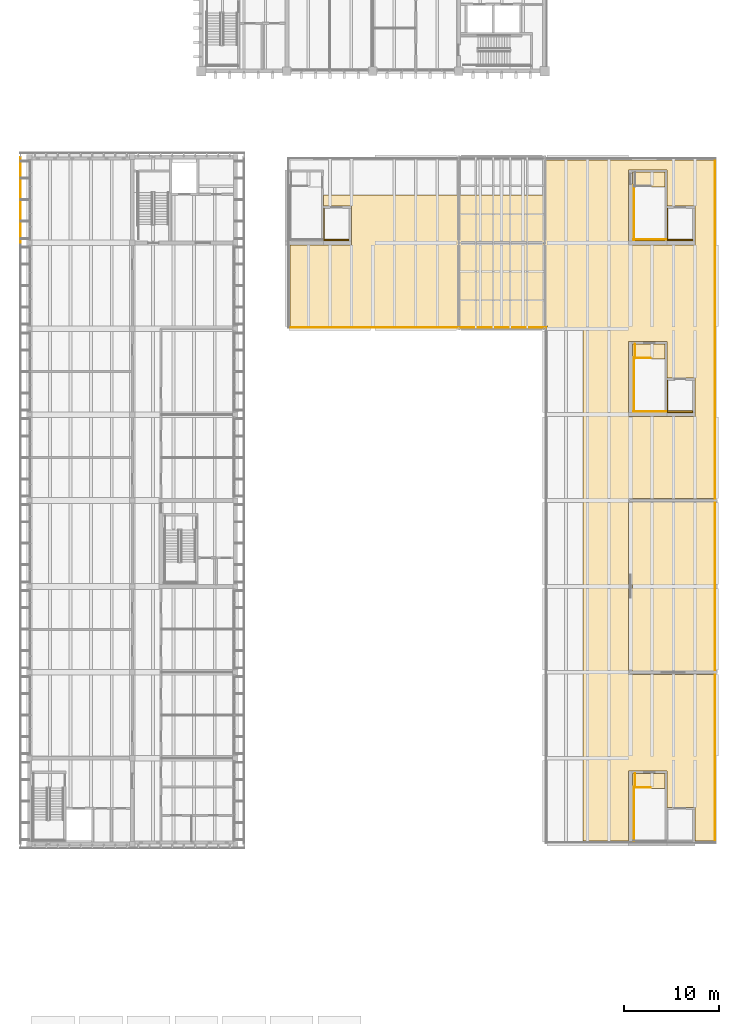
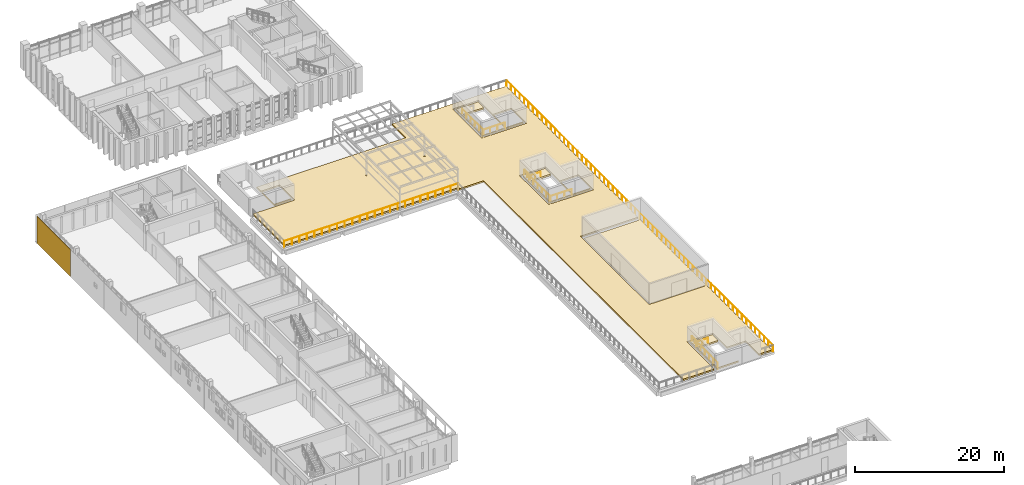
# One storey, part 69 of 74: 11 railings, 9 coverings.
"""IFC4 building model written with IfcOpenShell, lengths in metres."""

from ifc_helpers import new_model, si_unit, direction, frame, origin, origin_2d, place, context, subcontext, project, spatial, polyline, circle, outline, extrude, source, transform, mapped, material, layer, layer_set, type_object, element, save


model = new_model("IFC4")

# Units and contexts
model_context = context("Model", 3, precision=1e-05, world=origin(), true_north=direction((0.0, 1.0)))
body_context = subcontext(model_context, "Body", "Model", "MODEL_VIEW")
ifc_project = project(units=[si_unit("LENGTHUNIT", "METRE"), si_unit("AREAUNIT", "SQUARE_METRE"), si_unit("VOLUMEUNIT", "CUBIC_METRE"), si_unit("PLANEANGLEUNIT", "RADIAN"), si_unit("MASSUNIT", "GRAM", prefix="KILO")], contexts=[model_context])

# Site, building, storey
site_placement = place(None, origin())
site = spatial("IfcSite", under=ifc_project, at=site_placement, CompositionType="ELEMENT")
building_placement = place(site_placement, origin())
building = spatial("IfcBuilding", under=site, at=building_placement, Name="Merrow Basin Faculty of Sciences", CompositionType="ELEMENT")
storey_placement = place(building_placement, frame((0.0, 0.0, 13.5)))
storey = spatial("IfcBuildingStorey", under=building, at=storey_placement, Name="L03", CompositionType="ELEMENT", Elevation=13.5)

# Coverings
ifc_material_1 = material(Name="Planting substrate")
ifc_layer_1 = layer(ifc_material_1, 0.25)
ifc_layer_set_1 = layer_set([ifc_layer_1], Name="Planted roof build-up 250")
covering_type_1 = type_object("IfcCoveringType", Name="Planted roof build-up 250", PredefinedType="ROOFING", material=ifc_layer_set_1)
covering_1_placement = place(storey_placement, origin())
element("IfcCovering", 1, at=covering_1_placement, inside=storey, type_object=covering_type_1, Name="Planted roof build-up", PredefinedType="ROOFING", context=body_context, shape_type="SweptSolid", body=[
    extrude(outline(polyline([(62.77490234375, 97.22509765625), (62.77490234375, 78.77490234375), (71.699951171875, 78.77490234375), (71.699951171875, 61.300048828125), (69.75, 61.300048828125), (69.75, 64.60009765625), (69.75, 64.85009765625), (66.85009765625, 64.85009765625), (66.85009765625, 68.39990234375), (66.85009765625, 68.64990234375), (63.199951171875, 68.64990234375), (63.14990234375, 68.64990234375), (62.800048828125, 68.64990234375), (62.800048828125, 61.300048828125), (58.0, 61.300048828125), (58.0, 115.0), (54.300048828125, 115.0), (54.300048828125, 115.300048828125), (27.300048828125, 115.300048828125), (27.300048828125, 123.800048828125), (30.85009765625, 123.800048828125), (33.75, 123.800048828125), (33.75, 124.199951171875), (33.75, 127.60009765625), (33.75, 127.85009765625), (30.85009765625, 127.85009765625), (30.85009765625, 129.0), (54.0, 129.0), (54.0, 132.699951171875), (71.699951171875, 132.699951171875), (71.699951171875, 97.22509765625), (62.77490234375, 97.22509765625)]), holes=[polyline([(44.8984375, 124.1015625), (44.8984375, 123.8984375), (45.1015625, 123.8984375), (45.1015625, 124.1015625), (44.8984375, 124.1015625)]), polyline([(53.8984375, 124.1015625), (53.8984375, 123.8984375), (54.1015625, 123.8984375), (54.1015625, 124.1015625), (53.8984375, 124.1015625)]), polyline([(62.800048828125, 131.64990234375), (62.800048828125, 124.199951171875), (62.800048828125, 123.800048828125), (66.85009765625, 123.800048828125), (69.75, 123.800048828125), (69.75, 124.199951171875), (69.75, 127.60009765625), (69.75, 127.85009765625), (66.85009765625, 127.85009765625), (66.85009765625, 131.39990234375), (66.85009765625, 131.64990234375), (63.199951171875, 131.64990234375), (63.14990234375, 131.64990234375), (62.800048828125, 131.64990234375)]), polyline([(62.800048828125, 106.199951171875), (62.800048828125, 105.800048828125), (66.85009765625, 105.800048828125), (69.75, 105.800048828125), (69.75, 106.199951171875), (69.75, 109.60009765625), (69.75, 109.85009765625), (66.85009765625, 109.85009765625), (66.85009765625, 113.39990234375), (66.85009765625, 113.64990234375), (63.199951171875, 113.64990234375), (63.14990234375, 113.64990234375), (62.800048828125, 113.64990234375), (62.800048828125, 106.199951171875)])]), origin(), (0.0, 0.0, 1.0), 0.25),
])
covering_2_placement = place(storey_placement, origin())
element("IfcCovering", 2, at=covering_2_placement, inside=storey, type_object=covering_type_1, Name="Planted roof build-up", PredefinedType="ROOFING", context=body_context, shape_type="SweptSolid", body=[
    extrude(outline(polyline([(63.199951171875, 131.39990234375), (66.60009765625, 131.39990234375), (66.60009765625, 129.85009765625), (63.39990234375, 129.85009765625), (63.39990234375, 124.39990234375), (66.60009765625, 124.39990234375), (66.60009765625, 124.199951171875), (63.199951171875, 124.199951171875), (63.199951171875, 131.39990234375)])), origin(), (0.0, 0.0, 1.0), 0.25),
])
covering_3_placement = place(storey_placement, origin())
element("IfcCovering", 3, at=covering_3_placement, inside=storey, type_object=covering_type_1, Name="Planted roof build-up", PredefinedType="ROOFING", context=body_context, shape_type="SweptSolid", body=[
    extrude(outline(polyline([(66.60009765625, 106.39990234375), (66.60009765625, 106.199951171875), (63.199951171875, 106.199951171875), (63.199951171875, 113.39990234375), (66.60009765625, 113.39990234375), (66.60009765625, 111.85009765625), (63.39990234375, 111.85009765625), (63.39990234375, 106.39990234375), (66.60009765625, 106.39990234375)])), origin(), (0.0, 0.0, 1.0), 0.25),
])
covering_4_placement = place(storey_placement, origin())
element("IfcCovering", 4, at=covering_4_placement, inside=storey, type_object=covering_type_1, Name="Planted roof build-up", PredefinedType="ROOFING", context=body_context, shape_type="SweptSolid", body=[
    extrude(outline(polyline([(63.199951171875, 68.39990234375), (66.60009765625, 68.39990234375), (66.60009765625, 66.85009765625), (63.39990234375, 66.85009765625), (63.39990234375, 61.39990234375), (66.60009765625, 61.39990234375), (66.60009765625, 61.300048828125), (63.199951171875, 61.300048828125), (63.199951171875, 68.39990234375)])), origin(), (0.0, 0.0, 1.0), 0.25),
])
covering_5_placement = place(storey_placement, origin())
element("IfcCovering", 5, at=covering_5_placement, inside=storey, type_object=covering_type_1, Name="Planted roof build-up", PredefinedType="ROOFING", context=body_context, shape_type="SweptSolid", body=[
    extrude(outline(polyline([(66.89990234375, 106.39990234375), (69.5, 106.39990234375), (69.5, 106.199951171875), (66.85009765625, 106.199951171875), (66.85009765625, 109.60009765625), (66.89990234375, 109.60009765625), (66.89990234375, 106.39990234375)])), origin(), (0.0, 0.0, 1.0), 0.25),
])
covering_6_placement = place(storey_placement, origin())
element("IfcCovering", 6, at=covering_6_placement, inside=storey, type_object=covering_type_1, Name="Planted roof build-up", PredefinedType="ROOFING", context=body_context, shape_type="SweptSolid", body=[
    extrude(outline(polyline([(66.89990234375, 127.60009765625), (66.89990234375, 124.39990234375), (69.5, 124.39990234375), (69.5, 124.199951171875), (66.85009765625, 124.199951171875), (66.85009765625, 127.60009765625), (66.89990234375, 127.60009765625)])), origin(), (0.0, 0.0, 1.0), 0.25),
])
covering_7_placement = place(storey_placement, origin())
element("IfcCovering", 7, at=covering_7_placement, inside=storey, type_object=covering_type_1, Name="Planted roof build-up", PredefinedType="ROOFING", context=body_context, shape_type="SweptSolid", body=[
    extrude(outline(polyline([(30.89990234375, 127.60009765625), (30.89990234375, 124.39990234375), (33.5, 124.39990234375), (33.5, 124.199951171875), (30.85009765625, 124.199951171875), (30.85009765625, 127.60009765625), (30.89990234375, 127.60009765625)])), origin(), (0.0, 0.0, 1.0), 0.25),
])
ifc_material_2 = material(Name="Polished terrazzo floor")
ifc_layer_2 = layer(ifc_material_2, 0.02001953125)
ifc_layer_set_2 = layer_set([ifc_layer_2], Name="Polished terrazzo floor")
covering_type_2 = type_object("IfcCoveringType", Name="Polished terrazzo floor", PredefinedType="FLOORING", material=ifc_layer_set_2)
covering_8_placement = place(storey_placement, origin())
element("IfcCovering", 8, at=covering_8_placement, inside=storey, type_object=covering_type_2, Name="Floor finish L03-C-002", PredefinedType="FLOORING", context=body_context, shape_type="SweptSolid", body=[
    extrude(outline(polyline([(71.864990234375, 79.135009765625), (63.135009765625, 79.135009765625), (63.135009765625, 96.864990234375), (71.864990234375, 96.864990234375), (71.864990234375, 79.135009765625)])), origin(), (0.0, 0.0, 1.0), 0.02001953125),
])

# Railings
ifc_material_3 = material(Name="Stainless steel balustrade", Category="steel")
railing_type_1 = type_object("IfcRailingType", Name="Roof terrace guard 1100", PredefinedType="GUARDRAIL", material=ifc_material_3)
railing_1_placement = place(storey_placement, frame((71.85009765625, 132.85009765625, 0.0)))
element("IfcRailing", 9, at=railing_1_placement, inside=storey, type_object=railing_type_1, Name="Roof terrace guard", PredefinedType="GUARDRAIL", context=body_context, shape_type="SweptSolid", body=[
    extrude(circle(Radius=0.02392578125, at=origin_2d()), frame((0.0, 0.0, 1.076171875), z_axis=(0.0, -1.0, 0.0), x_axis=(1.0, 0.0, 0.0)), (0.0, 0.0, 1.0), 71.7001953125),
    extrude(circle(Radius=0.02099609375, at=origin_2d()), origin(), (0.0, 0.0, 1.0), 1.052001953125),
    extrude(circle(Radius=0.02099609375, at=origin_2d()), frame((0.0, -1.195068359375, 0.0)), (0.0, 0.0, 1.0), 1.052001953125),
    extrude(circle(Radius=0.02099609375, at=origin_2d()), frame((0.0, -2.389892578125, 0.0)), (0.0, 0.0, 1.0), 1.052001953125),
    extrude(circle(Radius=0.02099609375, at=origin_2d()), frame((0.0, -3.5849609375, 0.0)), (0.0, 0.0, 1.0), 1.052001953125),
    extrude(circle(Radius=0.02099609375, at=origin_2d()), frame((0.0, -4.780029296875, 0.0)), (0.0, 0.0, 1.0), 1.052001953125),
    extrude(circle(Radius=0.02099609375, at=origin_2d()), frame((0.0, -5.97509765625, 0.0)), (0.0, 0.0, 1.0), 1.052001953125),
    extrude(circle(Radius=0.02099609375, at=origin_2d()), frame((0.0, -7.169921875, 0.0)), (0.0, 0.0, 1.0), 1.052001953125),
    extrude(circle(Radius=0.02099609375, at=origin_2d()), frame((0.0, -8.364990234375, 0.0)), (0.0, 0.0, 1.0), 1.052001953125),
    extrude(circle(Radius=0.02099609375, at=origin_2d()), frame((0.0, -9.56005859375, 0.0)), (0.0, 0.0, 1.0), 1.052001953125),
    extrude(circle(Radius=0.02099609375, at=origin_2d()), frame((0.0, -10.755126953125, 0.0)), (0.0, 0.0, 1.0), 1.052001953125),
    extrude(circle(Radius=0.02099609375, at=origin_2d()), frame((0.0, -11.949951171875, 0.0)), (0.0, 0.0, 1.0), 1.052001953125),
    extrude(circle(Radius=0.02099609375, at=origin_2d()), frame((0.0, -13.14501953125, 0.0)), (0.0, 0.0, 1.0), 1.052001953125),
    extrude(circle(Radius=0.02099609375, at=origin_2d()), frame((0.0, -14.340087890625, 0.0)), (0.0, 0.0, 1.0), 1.052001953125),
    extrude(circle(Radius=0.02099609375, at=origin_2d()), frame((0.0, -15.53515625, 0.0)), (0.0, 0.0, 1.0), 1.052001953125),
    extrude(circle(Radius=0.02099609375, at=origin_2d()), frame((0.0, -16.72998046875, 0.0)), (0.0, 0.0, 1.0), 1.052001953125),
    extrude(circle(Radius=0.02099609375, at=origin_2d()), frame((0.0, -17.925048828125, 0.0)), (0.0, 0.0, 1.0), 1.052001953125),
    extrude(circle(Radius=0.02099609375, at=origin_2d()), frame((0.0, -19.1201171875, 0.0)), (0.0, 0.0, 1.0), 1.052001953125),
    extrude(circle(Radius=0.02099609375, at=origin_2d()), frame((0.0, -20.31494140625, 0.0)), (0.0, 0.0, 1.0), 1.052001953125),
    extrude(circle(Radius=0.02099609375, at=origin_2d()), frame((0.0, -21.510009765625, 0.0)), (0.0, 0.0, 1.0), 1.052001953125),
    extrude(circle(Radius=0.02099609375, at=origin_2d()), frame((0.0, -22.705078125, 0.0)), (0.0, 0.0, 1.0), 1.052001953125),
    extrude(circle(Radius=0.02099609375, at=origin_2d()), frame((0.0, -23.900146484375, 0.0)), (0.0, 0.0, 1.0), 1.052001953125),
    extrude(circle(Radius=0.02099609375, at=origin_2d()), frame((0.0, -25.094970703125, 0.0)), (0.0, 0.0, 1.0), 1.052001953125),
    extrude(circle(Radius=0.02099609375, at=origin_2d()), frame((0.0, -26.2900390625, 0.0)), (0.0, 0.0, 1.0), 1.052001953125),
    extrude(circle(Radius=0.02099609375, at=origin_2d()), frame((0.0, -27.485107421875, 0.0)), (0.0, 0.0, 1.0), 1.052001953125),
    extrude(circle(Radius=0.02099609375, at=origin_2d()), frame((0.0, -28.68017578125, 0.0)), (0.0, 0.0, 1.0), 1.052001953125),
    extrude(circle(Radius=0.02099609375, at=origin_2d()), frame((0.0, -29.875, 0.0)), (0.0, 0.0, 1.0), 1.052001953125),
    extrude(circle(Radius=0.02099609375, at=origin_2d()), frame((0.0, -31.070068359375, 0.0)), (0.0, 0.0, 1.0), 1.052001953125),
    extrude(circle(Radius=0.02099609375, at=origin_2d()), frame((0.0, -32.26513671875, 0.0)), (0.0, 0.0, 1.0), 1.052001953125),
    extrude(circle(Radius=0.02099609375, at=origin_2d()), frame((0.0, -33.460205078125, 0.0)), (0.0, 0.0, 1.0), 1.052001953125),
    extrude(circle(Radius=0.02099609375, at=origin_2d()), frame((0.0, -34.655029296875, 0.0)), (0.0, 0.0, 1.0), 1.052001953125),
    extrude(circle(Radius=0.02099609375, at=origin_2d()), frame((0.0, -35.85009765625, 0.0)), (0.0, 0.0, 1.0), 1.052001953125),
    extrude(circle(Radius=0.02099609375, at=origin_2d()), frame((0.0, -37.045166015625, 0.0)), (0.0, 0.0, 1.0), 1.052001953125),
    extrude(circle(Radius=0.02099609375, at=origin_2d()), frame((0.0, -38.239990234375, 0.0)), (0.0, 0.0, 1.0), 1.052001953125),
    extrude(circle(Radius=0.02099609375, at=origin_2d()), frame((0.0, -39.43505859375, 0.0)), (0.0, 0.0, 1.0), 1.052001953125),
    extrude(circle(Radius=0.02099609375, at=origin_2d()), frame((0.0, -40.630126953125, 0.0)), (0.0, 0.0, 1.0), 1.052001953125),
    extrude(circle(Radius=0.02099609375, at=origin_2d()), frame((0.0, -41.8251953125, 0.0)), (0.0, 0.0, 1.0), 1.052001953125),
    extrude(circle(Radius=0.02099609375, at=origin_2d()), frame((0.0, -43.02001953125, 0.0)), (0.0, 0.0, 1.0), 1.052001953125),
    extrude(circle(Radius=0.02099609375, at=origin_2d()), frame((0.0, -44.215087890625, 0.0)), (0.0, 0.0, 1.0), 1.052001953125),
    extrude(circle(Radius=0.02099609375, at=origin_2d()), frame((0.0, -45.41015625, 0.0)), (0.0, 0.0, 1.0), 1.052001953125),
    extrude(circle(Radius=0.02099609375, at=origin_2d()), frame((0.0, -46.605224609375, 0.0)), (0.0, 0.0, 1.0), 1.052001953125),
    extrude(circle(Radius=0.02099609375, at=origin_2d()), frame((0.0, -47.800048828125, 0.0)), (0.0, 0.0, 1.0), 1.052001953125),
    extrude(circle(Radius=0.02099609375, at=origin_2d()), frame((0.0, -48.9951171875, 0.0)), (0.0, 0.0, 1.0), 1.052001953125),
    extrude(circle(Radius=0.02099609375, at=origin_2d()), frame((0.0, -50.190185546875, 0.0)), (0.0, 0.0, 1.0), 1.052001953125),
    extrude(circle(Radius=0.02099609375, at=origin_2d()), frame((0.0, -51.38525390625, 0.0)), (0.0, 0.0, 1.0), 1.052001953125),
    extrude(circle(Radius=0.02099609375, at=origin_2d()), frame((0.0, -52.580078125, 0.0)), (0.0, 0.0, 1.0), 1.052001953125),
    extrude(circle(Radius=0.02099609375, at=origin_2d()), frame((0.0, -53.775146484375, 0.0)), (0.0, 0.0, 1.0), 1.052001953125),
    extrude(circle(Radius=0.02099609375, at=origin_2d()), frame((0.0, -54.97021484375, 0.0)), (0.0, 0.0, 1.0), 1.052001953125),
    extrude(circle(Radius=0.02099609375, at=origin_2d()), frame((0.0, -56.1650390625, 0.0)), (0.0, 0.0, 1.0), 1.052001953125),
    extrude(circle(Radius=0.02099609375, at=origin_2d()), frame((0.0, -57.360107421875, 0.0)), (0.0, 0.0, 1.0), 1.052001953125),
    extrude(circle(Radius=0.02099609375, at=origin_2d()), frame((0.0, -58.55517578125, 0.0)), (0.0, 0.0, 1.0), 1.052001953125),
    extrude(circle(Radius=0.02099609375, at=origin_2d()), frame((0.0, -59.750244140625, 0.0)), (0.0, 0.0, 1.0), 1.052001953125),
    extrude(circle(Radius=0.02099609375, at=origin_2d()), frame((0.0, -60.945068359375, 0.0)), (0.0, 0.0, 1.0), 1.052001953125),
    extrude(circle(Radius=0.02099609375, at=origin_2d()), frame((0.0, -62.14013671875, 0.0)), (0.0, 0.0, 1.0), 1.052001953125),
    extrude(circle(Radius=0.02099609375, at=origin_2d()), frame((0.0, -63.335205078125, 0.0)), (0.0, 0.0, 1.0), 1.052001953125),
    extrude(circle(Radius=0.02099609375, at=origin_2d()), frame((0.0, -64.5302734375, 0.0)), (0.0, 0.0, 1.0), 1.052001953125),
    extrude(circle(Radius=0.02099609375, at=origin_2d()), frame((0.0, -65.72509765625, 0.0)), (0.0, 0.0, 1.0), 1.052001953125),
    extrude(circle(Radius=0.02099609375, at=origin_2d()), frame((0.0, -66.920166015625, 0.0)), (0.0, 0.0, 1.0), 1.052001953125),
    extrude(circle(Radius=0.02099609375, at=origin_2d()), frame((0.0, -68.115234375, 0.0)), (0.0, 0.0, 1.0), 1.052001953125),
    extrude(circle(Radius=0.02099609375, at=origin_2d()), frame((0.0, -69.310302734375, 0.0)), (0.0, 0.0, 1.0), 1.052001953125),
    extrude(circle(Radius=0.02099609375, at=origin_2d()), frame((0.0, -70.505126953125, 0.0)), (0.0, 0.0, 1.0), 1.052001953125),
    extrude(circle(Radius=0.02099609375, at=origin_2d()), frame((0.0, -71.7001953125, 0.0)), (0.0, 0.0, 1.0), 1.052001953125),
])
railing_2_placement = place(storey_placement, frame((54.14990234375, 115.14990234375, 0.0)))
element("IfcRailing", 10, at=railing_2_placement, inside=storey, type_object=railing_type_1, Name="Roof terrace guard", PredefinedType="GUARDRAIL", context=body_context, shape_type="SweptSolid", body=[
    extrude(circle(Radius=0.02392578125, at=origin_2d()), frame((0.0, 0.0, 1.076171875), z_axis=(-1.0, 0.0, 0.0), x_axis=(0.0, -1.0, 0.0)), (0.0, 0.0, 1.0), 27.0),
    extrude(circle(Radius=0.02099609375, at=origin_2d()), origin(), (0.0, 0.0, 1.0), 1.052001953125),
    extrude(circle(Radius=0.02099609375, at=origin_2d()), frame((-1.173828125, 0.0, 0.0)), (0.0, 0.0, 1.0), 1.052001953125),
    extrude(circle(Radius=0.02099609375, at=origin_2d()), frame((-2.347900390625, 0.0, 0.0)), (0.0, 0.0, 1.0), 1.052001953125),
    extrude(circle(Radius=0.02099609375, at=origin_2d()), frame((-3.521728515625, 0.0, 0.0)), (0.0, 0.0, 1.0), 1.052001953125),
    extrude(circle(Radius=0.02099609375, at=origin_2d()), frame((-4.695556640625, 0.0, 0.0)), (0.0, 0.0, 1.0), 1.052001953125),
    extrude(circle(Radius=0.02099609375, at=origin_2d()), frame((-5.86962890625, 0.0, 0.0)), (0.0, 0.0, 1.0), 1.052001953125),
    extrude(circle(Radius=0.02099609375, at=origin_2d()), frame((-7.04345703125, 0.0, 0.0)), (0.0, 0.0, 1.0), 1.052001953125),
    extrude(circle(Radius=0.02099609375, at=origin_2d()), frame((-8.21728515625, 0.0, 0.0)), (0.0, 0.0, 1.0), 1.052001953125),
    extrude(circle(Radius=0.02099609375, at=origin_2d()), frame((-9.391357421875, 0.0, 0.0)), (0.0, 0.0, 1.0), 1.052001953125),
    extrude(circle(Radius=0.02099609375, at=origin_2d()), frame((-10.565185546875, 0.0, 0.0)), (0.0, 0.0, 1.0), 1.052001953125),
    extrude(circle(Radius=0.02099609375, at=origin_2d()), frame((-11.739013671875, 0.0, 0.0)), (0.0, 0.0, 1.0), 1.052001953125),
    extrude(circle(Radius=0.02099609375, at=origin_2d()), frame((-12.9130859375, 0.0, 0.0)), (0.0, 0.0, 1.0), 1.052001953125),
    extrude(circle(Radius=0.02099609375, at=origin_2d()), frame((-14.0869140625, 0.0, 0.0)), (0.0, 0.0, 1.0), 1.052001953125),
    extrude(circle(Radius=0.02099609375, at=origin_2d()), frame((-15.260986328125, 0.0, 0.0)), (0.0, 0.0, 1.0), 1.052001953125),
    extrude(circle(Radius=0.02099609375, at=origin_2d()), frame((-16.434814453125, 0.0, 0.0)), (0.0, 0.0, 1.0), 1.052001953125),
    extrude(circle(Radius=0.02099609375, at=origin_2d()), frame((-17.608642578125, 0.0, 0.0)), (0.0, 0.0, 1.0), 1.052001953125),
    extrude(circle(Radius=0.02099609375, at=origin_2d()), frame((-18.78271484375, 0.0, 0.0)), (0.0, 0.0, 1.0), 1.052001953125),
    extrude(circle(Radius=0.02099609375, at=origin_2d()), frame((-19.95654296875, 0.0, 0.0)), (0.0, 0.0, 1.0), 1.052001953125),
    extrude(circle(Radius=0.02099609375, at=origin_2d()), frame((-21.13037109375, 0.0, 0.0)), (0.0, 0.0, 1.0), 1.052001953125),
    extrude(circle(Radius=0.02099609375, at=origin_2d()), frame((-22.304443359375, 0.0, 0.0)), (0.0, 0.0, 1.0), 1.052001953125),
    extrude(circle(Radius=0.02099609375, at=origin_2d()), frame((-23.478271484375, 0.0, 0.0)), (0.0, 0.0, 1.0), 1.052001953125),
    extrude(circle(Radius=0.02099609375, at=origin_2d()), frame((-24.652099609375, 0.0, 0.0)), (0.0, 0.0, 1.0), 1.052001953125),
    extrude(circle(Radius=0.02099609375, at=origin_2d()), frame((-25.826171875, 0.0, 0.0)), (0.0, 0.0, 1.0), 1.052001953125),
    extrude(circle(Radius=0.02099609375, at=origin_2d()), frame((-27.0, 0.0, 0.0)), (0.0, 0.0, 1.0), 1.052001953125),
])
ifc_material_4 = material(Name="Steel ASTM A36", Category="steel")
railing_type_2 = type_object("IfcRailingType", Name="Steel guard 1100", PredefinedType="GUARDRAIL", material=ifc_material_4)
railing_3_placement = place(storey_placement, frame((63.39990234375, 66.949951171875, 0.0)))
element("IfcRailing", 11, at=railing_3_placement, inside=storey, type_object=railing_type_2, Name="L03 ST-V2-S top well guard 1", PredefinedType="GUARDRAIL", context=body_context, shape_type="SweptSolid", body=[
    extrude(circle(Radius=0.02392578125, at=origin_2d()), frame((0.0, 0.0, 1.076171875), z_axis=(1.0, 0.0, 0.0), x_axis=(0.0, 1.0, 0.0)), (0.0, 0.0, 1.0), 1.7001953125),
    extrude(circle(Radius=0.02099609375, at=origin_2d()), origin(), (0.0, 0.0, 1.0), 1.052001953125),
    extrude(circle(Radius=0.02099609375, at=origin_2d()), frame((0.85009765625, 0.0, 0.0)), (0.0, 0.0, 1.0), 1.052001953125),
    extrude(circle(Radius=0.02099609375, at=origin_2d()), frame((1.7001953125, 0.0, 0.0)), (0.0, 0.0, 1.0), 1.052001953125),
])
railing_4_placement = place(storey_placement, frame((63.35009765625, 67.0, 0.0)))
element("IfcRailing", 12, at=railing_4_placement, inside=storey, type_object=railing_type_2, Name="L03 ST-V2-S top well guard 2", PredefinedType="GUARDRAIL", context=body_context, shape_type="SweptSolid", body=[
    extrude(circle(Radius=0.02392578125, at=origin_2d()), frame((0.0, 0.0, 1.076171875), z_axis=(0.0, -1.0, 0.0), x_axis=(1.0, 0.0, 0.0)), (0.0, 0.0, 1.0), 5.699951171875),
    extrude(circle(Radius=0.02099609375, at=origin_2d()), origin(), (0.0, 0.0, 1.0), 1.052001953125),
    extrude(circle(Radius=0.02099609375, at=origin_2d()), frame((0.0, -1.139892578125, 0.0)), (0.0, 0.0, 1.0), 1.052001953125),
    extrude(circle(Radius=0.02099609375, at=origin_2d()), frame((0.0, -2.280029296875, 0.0)), (0.0, 0.0, 1.0), 1.052001953125),
    extrude(circle(Radius=0.02099609375, at=origin_2d()), frame((0.0, -3.419921875, 0.0)), (0.0, 0.0, 1.0), 1.052001953125),
    extrude(circle(Radius=0.02099609375, at=origin_2d()), frame((0.0, -4.56005859375, 0.0)), (0.0, 0.0, 1.0), 1.052001953125),
    extrude(circle(Radius=0.02099609375, at=origin_2d()), frame((0.0, -5.699951171875, 0.0)), (0.0, 0.0, 1.0), 1.052001953125),
])
railing_5_placement = place(storey_placement, frame((63.449951171875, 68.39990234375, 0.0)))
element("IfcRailing", 13, at=railing_5_placement, inside=storey, type_object=railing_type_2, Name="L03 ST-V2-S top well guard 4", PredefinedType="GUARDRAIL", context=body_context, shape_type="SweptSolid", body=[
    extrude(circle(Radius=0.02392578125, at=origin_2d()), frame((0.0, 0.0, 1.076171875), z_axis=(0.0, -1.0, 0.0), x_axis=(1.0, 0.0, 0.0)), (0.0, 0.0, 1.0), 1.5),
    extrude(circle(Radius=0.02099609375, at=origin_2d()), origin(), (0.0, 0.0, 1.0), 1.052001953125),
    extrude(circle(Radius=0.02099609375, at=origin_2d()), frame((0.0, -0.75, 0.0)), (0.0, 0.0, 1.0), 1.052001953125),
    extrude(circle(Radius=0.02099609375, at=origin_2d()), frame((0.0, -1.5, 0.0)), (0.0, 0.0, 1.0), 1.052001953125),
])
railing_6_placement = place(storey_placement, frame((63.39990234375, 111.949951171875, 0.0)))
element("IfcRailing", 14, at=railing_6_placement, inside=storey, type_object=railing_type_2, Name="L03 ST-V2-M top well guard 1", PredefinedType="GUARDRAIL", context=body_context, shape_type="SweptSolid", body=[
    extrude(circle(Radius=0.02392578125, at=origin_2d()), frame((0.0, 0.0, 1.076171875), z_axis=(1.0, 0.0, 0.0), x_axis=(0.0, 1.0, 0.0)), (0.0, 0.0, 1.0), 1.7001953125),
    extrude(circle(Radius=0.02099609375, at=origin_2d()), origin(), (0.0, 0.0, 1.0), 1.052001953125),
    extrude(circle(Radius=0.02099609375, at=origin_2d()), frame((0.85009765625, 0.0, 0.0)), (0.0, 0.0, 1.0), 1.052001953125),
    extrude(circle(Radius=0.02099609375, at=origin_2d()), frame((1.7001953125, 0.0, 0.0)), (0.0, 0.0, 1.0), 1.052001953125),
])
railing_7_placement = place(storey_placement, frame((63.35009765625, 112.0, 0.0)))
element("IfcRailing", 15, at=railing_7_placement, inside=storey, type_object=railing_type_2, Name="L03 ST-V2-M top well guard 2", PredefinedType="GUARDRAIL", context=body_context, shape_type="SweptSolid", body=[
    extrude(circle(Radius=0.02392578125, at=origin_2d()), frame((0.0, 0.0, 1.076171875), z_axis=(0.0, -1.0, 0.0), x_axis=(1.0, 0.0, 0.0)), (0.0, 0.0, 1.0), 5.699951171875),
    extrude(circle(Radius=0.02099609375, at=origin_2d()), origin(), (0.0, 0.0, 1.0), 1.052001953125),
    extrude(circle(Radius=0.02099609375, at=origin_2d()), frame((0.0, -1.139892578125, 0.0)), (0.0, 0.0, 1.0), 1.052001953125),
    extrude(circle(Radius=0.02099609375, at=origin_2d()), frame((0.0, -2.280029296875, 0.0)), (0.0, 0.0, 1.0), 1.052001953125),
    extrude(circle(Radius=0.02099609375, at=origin_2d()), frame((0.0, -3.419921875, 0.0)), (0.0, 0.0, 1.0), 1.052001953125),
    extrude(circle(Radius=0.02099609375, at=origin_2d()), frame((0.0, -4.56005859375, 0.0)), (0.0, 0.0, 1.0), 1.052001953125),
    extrude(circle(Radius=0.02099609375, at=origin_2d()), frame((0.0, -5.699951171875, 0.0)), (0.0, 0.0, 1.0), 1.052001953125),
])
railing_8_placement = place(storey_placement, frame((63.300048828125, 106.35009765625, 0.0)))
element("IfcRailing", 16, at=railing_8_placement, inside=storey, type_object=railing_type_2, Name="L03 ST-V2-M top well guard 3", PredefinedType="GUARDRAIL", context=body_context, shape_type="SweptSolid", body=[
    extrude(circle(Radius=0.02392578125, at=origin_2d()), frame((0.0, 0.0, 1.076171875), z_axis=(1.0, 0.0, 0.0), x_axis=(0.0, 1.0, 0.0)), (0.0, 0.0, 1.0), 3.39990234375),
    extrude(circle(Radius=0.02099609375, at=origin_2d()), origin(), (0.0, 0.0, 1.0), 1.052001953125),
    extrude(circle(Radius=0.02099609375, at=origin_2d()), frame((1.13330078125, 0.0, 0.0)), (0.0, 0.0, 1.0), 1.052001953125),
    extrude(circle(Radius=0.02099609375, at=origin_2d()), frame((2.2666015625, 0.0, 0.0)), (0.0, 0.0, 1.0), 1.052001953125),
    extrude(circle(Radius=0.02099609375, at=origin_2d()), frame((3.39990234375, 0.0, 0.0)), (0.0, 0.0, 1.0), 1.052001953125),
])
railing_9_placement = place(storey_placement, frame((63.449951171875, 113.39990234375, 0.0)))
element("IfcRailing", 17, at=railing_9_placement, inside=storey, type_object=railing_type_2, Name="L03 ST-V2-M top well guard 4", PredefinedType="GUARDRAIL", context=body_context, shape_type="SweptSolid", body=[
    extrude(circle(Radius=0.02392578125, at=origin_2d()), frame((0.0, 0.0, 1.076171875), z_axis=(0.0, -1.0, 0.0), x_axis=(1.0, 0.0, 0.0)), (0.0, 0.0, 1.0), 1.5),
    extrude(circle(Radius=0.02099609375, at=origin_2d()), origin(), (0.0, 0.0, 1.0), 1.052001953125),
    extrude(circle(Radius=0.02099609375, at=origin_2d()), frame((0.0, -0.75, 0.0)), (0.0, 0.0, 1.0), 1.052001953125),
    extrude(circle(Radius=0.02099609375, at=origin_2d()), frame((0.0, -1.5, 0.0)), (0.0, 0.0, 1.0), 1.052001953125),
])
railing_10_placement = place(storey_placement, frame((63.35009765625, 130.0, 0.0)))
element("IfcRailing", 18, at=railing_10_placement, inside=storey, type_object=railing_type_2, Name="L03 ST-V2-N top well guard 2", PredefinedType="GUARDRAIL", context=body_context, shape_type="SweptSolid", body=[
    extrude(circle(Radius=0.02392578125, at=origin_2d()), frame((0.0, 0.0, 1.076171875), z_axis=(0.0, -1.0, 0.0), x_axis=(1.0, 0.0, 0.0)), (0.0, 0.0, 1.0), 5.699951171875),
    extrude(circle(Radius=0.02099609375, at=origin_2d()), origin(), (0.0, 0.0, 1.0), 1.052001953125),
    extrude(circle(Radius=0.02099609375, at=origin_2d()), frame((0.0, -1.139892578125, 0.0)), (0.0, 0.0, 1.0), 1.052001953125),
    extrude(circle(Radius=0.02099609375, at=origin_2d()), frame((0.0, -2.280029296875, 0.0)), (0.0, 0.0, 1.0), 1.052001953125),
    extrude(circle(Radius=0.02099609375, at=origin_2d()), frame((0.0, -3.419921875, 0.0)), (0.0, 0.0, 1.0), 1.052001953125),
    extrude(circle(Radius=0.02099609375, at=origin_2d()), frame((0.0, -4.56005859375, 0.0)), (0.0, 0.0, 1.0), 1.052001953125),
    extrude(circle(Radius=0.02099609375, at=origin_2d()), frame((0.0, -5.699951171875, 0.0)), (0.0, 0.0, 1.0), 1.052001953125),
])
railing_11_placement = place(storey_placement, frame((63.300048828125, 124.35009765625, 0.0)))
element("IfcRailing", 19, at=railing_11_placement, inside=storey, type_object=railing_type_2, Name="L03 ST-V2-N top well guard 3", PredefinedType="GUARDRAIL", context=body_context, shape_type="SweptSolid", body=[
    extrude(circle(Radius=0.02392578125, at=origin_2d()), frame((0.0, 0.0, 1.076171875), z_axis=(1.0, 0.0, 0.0), x_axis=(0.0, 1.0, 0.0)), (0.0, 0.0, 1.0), 3.39990234375),
    extrude(circle(Radius=0.02099609375, at=origin_2d()), origin(), (0.0, 0.0, 1.0), 1.052001953125),
    extrude(circle(Radius=0.02099609375, at=origin_2d()), frame((1.13330078125, 0.0, 0.0)), (0.0, 0.0, 1.0), 1.052001953125),
    extrude(circle(Radius=0.02099609375, at=origin_2d()), frame((2.2666015625, 0.0, 0.0)), (0.0, 0.0, 1.0), 1.052001953125),
    extrude(circle(Radius=0.02099609375, at=origin_2d()), frame((3.39990234375, 0.0, 0.0)), (0.0, 0.0, 1.0), 1.052001953125),
])

# Covering
ifc_material_5 = material(Name="White powder-coated aluminium", Category="aluminium")
ifc_layer_3 = layer(ifc_material_5, 0.0400390625)
ifc_layer_set_3 = layer_set([ifc_layer_3], Name="Perforated panel 9000 x 4500")
covering_type_3 = type_object("IfcCoveringType", Name="Perforated panel 9000 x 4500", PredefinedType="CLADDING", material=ifc_layer_set_3)
shared_shape = source(origin(), body_context, "Body", "SweptSolid", [
    extrude(outline(polyline([(0.02001953125, 0.02001953125), (8.97998046875, 0.02001953125), (8.97998046875, 4.47998046875), (0.02001953125, 4.47998046875), (0.02001953125, 0.02001953125)])), origin(), (0.0, 0.0, 1.0), 0.0400390625),
])
covering_9_placement = place(storey_placement, frame((-0.93994140625, 124.0, -0.320068359375), z_axis=(1.0, 0.0, 0.0), x_axis=(0.0, 1.0, 0.0)))
element("IfcCovering", 20, at=covering_9_placement, inside=storey, type_object=covering_type_3, Name="Perforated panel WL03-08", PredefinedType="CLADDING", context=body_context, shape_type="MappedRepresentation", body=[
    mapped(shared_shape, transform((0.0, 0.0, 0.0), scale=1.0)),
])

save(model, "model.ifc")
